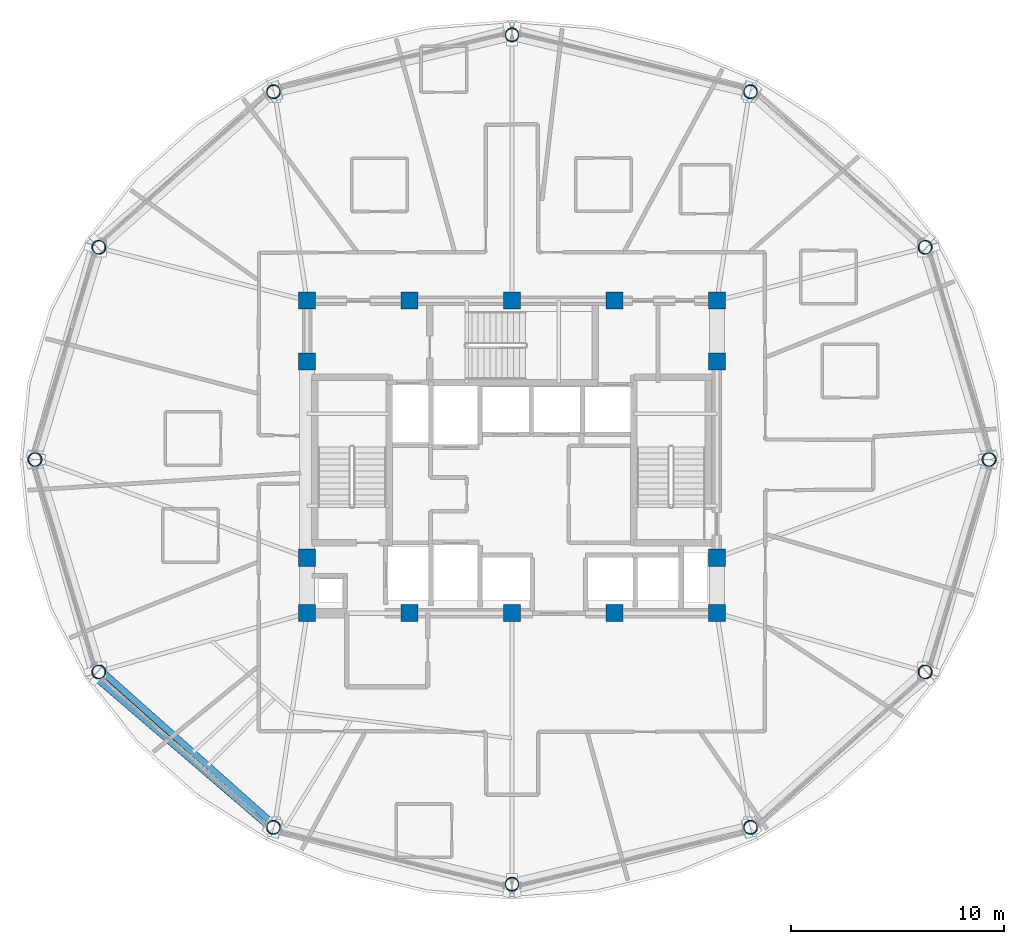
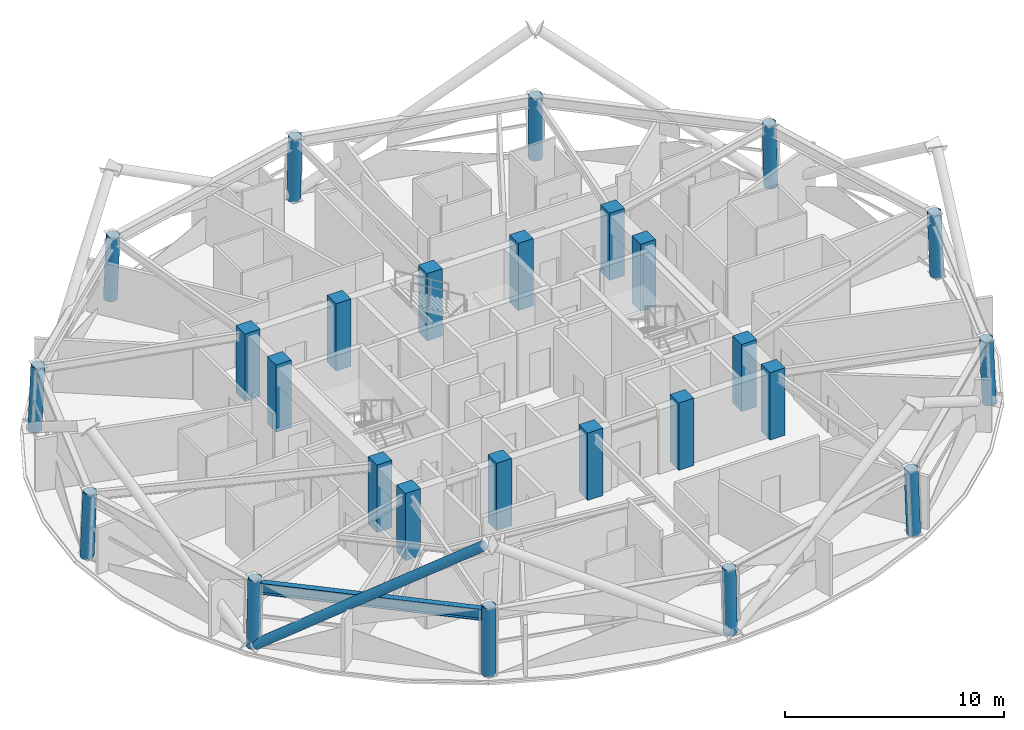
# One storey, part 1 of 14: 26 columns, 1 beam, 1 member.
"""IFC4 building model written with IfcOpenShell, lengths in metres."""

import ifcopenshell
import ifcopenshell.guid

model = None  # the IFC model being written
_history = None  # IfcOwnerHistory: only IFC2X3 demands one
_inside = {}  # id of a spatial element -> (the spatial element, [elements in it])
_under = {}  # id of a project, library or spatial element -> (it, [spatial elements below it])
_declared = {}  # id of a project -> (the project, [libraries it declares])
_typed = {}  # id of a type object -> (the type object, [elements of that type])
_made_of = {}  # id of a material, layer set ... -> (it, [elements and type objects made of it])


def new_model(schema):
    """Start an empty IFC model of exactly this schema.

    Asked for "IFC4X3", IfcOpenShell would pick the latest addendum, in which some entities
    have other attributes; the version numbers below select the first issue.
    IFC2X3 requires an IfcOwnerHistory on every rooted entity: one is made here for all.
    """
    global model, _history
    if schema == "IFC4X3":
        model = ifcopenshell.file(schema_version=(4, 3, 0, 0))
    else:
        model = ifcopenshell.file(schema=schema)
    _inside.clear()
    _under.clear()
    _declared.clear()
    _typed.clear()
    _made_of.clear()
    _history = None
    if model.schema == "IFC2X3":
        org = make("IfcOrganization", Name="unknown")
        user = make(
            "IfcPersonAndOrganization",
            ThePerson=make("IfcPerson", FamilyName="unknown"),
            TheOrganization=org,
        )
        app = make(
            "IfcApplication",
            ApplicationDeveloper=org,
            Version="unknown",
            ApplicationFullName="unknown",
            ApplicationIdentifier="unknown",
        )
        _history = make(
            "IfcOwnerHistory",
            OwningUser=user,
            OwningApplication=app,
            ChangeAction="ADDED",
            CreationDate=0,
        )
    return model


def make(cls, **values):
    """One entity of the class cls with the attributes given. An attribute that is None is left unset."""
    return model.create_entity(
        cls, **{name: value for name, value in values.items() if value is not None}
    )


def rooted(cls, **values):
    """An entity with a GlobalId (a new one), such as an element, a storey or a relation."""
    return make(cls, GlobalId=ifcopenshell.guid.new(), OwnerHistory=_history, **values)


def si_unit(unit_type, name, prefix=None):
    """IfcSIUnit, for example si_unit("LENGTHUNIT", "METRE", prefix="MILLI")."""
    return make("IfcSIUnit", UnitType=unit_type, Prefix=prefix, Name=name)


def assignment(units):
    """IfcUnitAssignment: the units of a project."""
    return None if units is None else make("IfcUnitAssignment", Units=units)


def point(xyz):
    """IfcCartesianPoint."""
    return None if xyz is None else make("IfcCartesianPoint", Coordinates=xyz)


def direction(xyz):
    """IfcDirection."""
    return None if xyz is None else make("IfcDirection", DirectionRatios=xyz)


def frame(location, z_axis=None, x_axis=None):
    """IfcAxis2Placement3D, a coordinate frame: its origin and axes. An axis left out is left unset."""
    return make(
        "IfcAxis2Placement3D",
        Location=point(location),
        Axis=direction(z_axis),
        RefDirection=direction(x_axis),
    )


def frame_2d(location, x_axis=None):
    """IfcAxis2Placement2D, a coordinate frame in the plane: its origin and x axis."""
    return make(
        "IfcAxis2Placement2D", Location=point(location), RefDirection=direction(x_axis)
    )


def origin():
    """The frame at (0, 0, 0) with its axes left unset."""
    return frame((0.0, 0.0, 0.0))


def origin_2d():
    """The frame at (0, 0) in the plane with its x axis left unset."""
    return frame_2d((0.0, 0.0))


def place(relative_to, where):
    """IfcLocalPlacement: puts the frame where relative to a parent placement (None: the world)."""
    return make(
        "IfcLocalPlacement", PlacementRelTo=relative_to, RelativePlacement=where
    )


def context(
    kind, dimensions, precision=None, world=None, true_north=None, identifier=None
):
    """IfcGeometricRepresentationContext, for example the 3D "Model" context."""
    return make(
        "IfcGeometricRepresentationContext",
        ContextIdentifier=identifier,
        ContextType=kind,
        CoordinateSpaceDimension=dimensions,
        Precision=precision,
        WorldCoordinateSystem=world,
        TrueNorth=true_north,
    )


def subcontext(parent, identifier, kind, view, scale=None):
    """IfcGeometricRepresentationSubContext, for example "Body" below "Model"."""
    return make(
        "IfcGeometricRepresentationSubContext",
        ContextIdentifier=identifier,
        ContextType=kind,
        ParentContext=parent,
        TargetScale=scale,
        TargetView=view,
    )


def project(units=None, contexts=None):
    """IfcProject with its units and contexts."""
    return rooted(
        "IfcProject",
        Name="project",
        RepresentationContexts=contexts,
        UnitsInContext=assignment(units),
    )


def spatial(cls, under=None, at=None, **own):
    """A site, building, storey or space (cls), placed at a placement, below another one or the project."""
    s = rooted(cls, ObjectPlacement=at, **own)
    if under is not None:
        _under.setdefault(under.id(), (under, []))[1].append(s)
    return s


def profile(cls, at=None, kind="AREA", **sizes):
    """A parametric profile (cls). Its sizes go by their IFC names, for example OverallWidth=200.0."""
    return make(cls, ProfileType=kind, Position=at, **sizes)


def rectangle(**sizes):
    """IfcRectangleProfileDef."""
    return profile("IfcRectangleProfileDef", **sizes)


def hollow_circle(**sizes):
    """IfcCircleHollowProfileDef."""
    return profile("IfcCircleHollowProfileDef", **sizes)


def i_section(**sizes):
    """IfcIShapeProfileDef."""
    return profile("IfcIShapeProfileDef", **sizes)


def extrude(swept, where, along, depth):
    """IfcExtrudedAreaSolid: the profile swept, set in the frame where, extruded along a direction by depth."""
    return make(
        "IfcExtrudedAreaSolid",
        SweptArea=swept,
        Position=where,
        ExtrudedDirection=direction(along),
        Depth=depth,
    )


def shape(context_of_items, identifier, shape_type, items):
    """IfcShapeRepresentation: the items that make up one representation, for example the "Body"."""
    return make(
        "IfcShapeRepresentation",
        ContextOfItems=context_of_items,
        RepresentationIdentifier=identifier,
        RepresentationType=shape_type,
        Items=items,
    )


def material(Name=None, Category=None):
    """IfcMaterial."""
    return make("IfcMaterial", Name=Name, Category=Category)


def material_profile(
    of_material, cross_section, Name=None, Category=None, Priority=None
):
    """IfcMaterialProfile: a cross section and its material."""
    return make(
        "IfcMaterialProfile",
        Name=Name,
        Material=of_material,
        Profile=cross_section,
        Priority=Priority,
        Category=Category,
    )


def profile_set(profiles, Name=None, composite=None):
    """IfcMaterialProfileSet."""
    return make(
        "IfcMaterialProfileSet",
        Name=Name,
        MaterialProfiles=profiles,
        CompositeProfile=composite,
    )


def made_of(thing, what):
    """Note that an element or type object is made of a material, layer set ...; save() writes the relation."""
    if what is not None:
        _made_of.setdefault(what.id(), (what, []))[1].append(thing)
    return thing


def type_object(cls, material=None, **own):
    """A type object (cls), such as IfcWallType, which elements share."""
    return made_of(rooted(cls, **own), material)


def element(
    cls,
    number,
    at=None,
    inside=None,
    cuts=None,
    type_object=None,
    material=None,
    context=None,
    identifier="Body",
    shape_type=None,
    held_by="IfcProductDefinitionShape",
    body=None,
    shapes=None,
    **own,
):
    """One element of the class cls, such as IfcWall. Its Tag is "e" and its number.

    at: its placement. inside: the storey or other place that contains it. cuts: it is an
    opening in that element (IfcRelVoidsElement). A single representation is given by context,
    identifier, shape_type and body (its items); several are given by shapes. held_by: the class
    of the entity that holds the representations. save() writes the other relations.
    """
    e = rooted(cls, Tag="e%d" % number, ObjectPlacement=at, **own)
    if body is not None:
        shapes = [shape(context, identifier, shape_type, body)]
    if shapes is not None:
        e.Representation = make(held_by, Representations=shapes)
    if inside is not None:
        _inside.setdefault(inside.id(), (inside, []))[1].append(e)
    if cuts is not None:
        rooted(
            "IfcRelVoidsElement", RelatingBuildingElement=cuts, RelatedOpeningElement=e
        )
    if type_object is not None:
        _typed.setdefault(type_object.id(), (type_object, []))[1].append(e)
    return made_of(e, material)


def aggregate(whole, parts):
    """IfcRelAggregates: a whole, such as a stair, and the parts it consists of."""
    return rooted("IfcRelAggregates", RelatingObject=whole, RelatedObjects=parts)


def save(model, path):
    """Write the relations noted so far, then the file.

    IfcRelAggregates (storeys below a building ...), IfcRelContainedInSpatialStructure (elements
    in a storey), IfcRelDefinesByType, IfcRelAssociatesMaterial and IfcRelDeclares: one each for
    every whole, place, type object, material and project.
    """
    for whole, parts in _under.values():
        aggregate(whole, parts)
    for where, things in _inside.values():
        rooted(
            "IfcRelContainedInSpatialStructure",
            RelatedElements=things,
            RelatingStructure=where,
        )
    for kind, things in _typed.values():
        rooted("IfcRelDefinesByType", RelatedObjects=things, RelatingType=kind)
    for what, things in _made_of.values():
        rooted("IfcRelAssociatesMaterial", RelatedObjects=things, RelatingMaterial=what)
    for by, libraries in _declared.values():
        rooted("IfcRelDeclares", RelatingContext=by, RelatedDefinitions=libraries)
    model.write(path)


model = new_model("IFC4")

# Units and contexts
model_context = context("Model", 3, precision=1e-05, world=origin(), true_north=direction((0.0, 1.0)))
body_context = subcontext(model_context, "Body", "Model", "MODEL_VIEW")
ifc_project = project(units=[si_unit("LENGTHUNIT", "METRE"), si_unit("AREAUNIT", "SQUARE_METRE"), si_unit("VOLUMEUNIT", "CUBIC_METRE"), si_unit("PLANEANGLEUNIT", "RADIAN"), si_unit("MASSUNIT", "GRAM", prefix="KILO")], contexts=[model_context])

# Site, building, storey
site_placement = place(None, origin())
site = spatial("IfcSite", under=ifc_project, at=site_placement, CompositionType="ELEMENT")
building_placement = place(site_placement, origin())
building = spatial("IfcBuilding", under=site, at=building_placement, Name="Vantalir Tower", CompositionType="ELEMENT")
storey_placement = place(building_placement, frame((0.0, 0.0, 204.89990234375)))
storey = spatial("IfcBuildingStorey", under=building, at=storey_placement, Name="L51", CompositionType="ELEMENT", Elevation=204.89990234375)

# Columns
ifc_material_1 = material(Name="Concrete C50/60", Category="concrete")
ifc_material_profile_1 = material_profile(ifc_material_1, rectangle(XDim=0.800048828125, YDim=0.800048828125, at=origin_2d()), Name="Concrete C50/60")
ifc_profile_set_1 = profile_set([ifc_material_profile_1], Name="Concrete C50/60")
column_type_1 = type_object("IfcColumnType", Name="COL-CC-800", PredefinedType="COLUMN", material=ifc_profile_set_1)
for number, where, z_axis, x_axis, name in (
    (1, (21.89990234375, 17.800048828125, 0.0), (0.0, 0.0, 1.0), (1.0, 0.0, 0.0), "L51 Core Column CC01"),
    (2, (26.699951171875, 17.800048828125, 0.0), (0.0, 0.0, 1.0), (1.0, 0.0, 0.0), "L51 Core Column CC02"),
    (3, (31.5, 17.800048828125, 0.0), (0.0, 0.0, 1.0), (1.0, 0.0, 0.0), "L51 Core Column CC03"),
    (4, (36.300048828125, 17.800048828125, 0.0), (0.0, 0.0, 1.0), (1.0, 0.0, 0.0), "L51 Core Column CC04"),
    (5, (41.10009765625, 17.800048828125, 0.0), (0.0, 0.0, 1.0), (1.0, 0.0, 0.0), "L51 Core Column CC05"),
    (6, (21.89990234375, 20.39990234375, 0.0), (0.0, 0.0, 1.0), (1.0, 0.0, 0.0), "L51 Core Column CC06"),
    (7, (21.89990234375, 29.60009765625, 0.0), (0.0, 0.0, 1.0), (1.0, 0.0, 0.0), "L51 Core Column CC07"),
    (8, (41.10009765625, 20.39990234375, 0.0), (0.0, 0.0, 1.0), (1.0, 0.0, 0.0), "L51 Core Column CC08"),
    (9, (41.10009765625, 29.60009765625, 0.0), (0.0, 0.0, 1.0), (1.0, 0.0, 0.0), "L51 Core Column CC09"),
    (10, (21.89990234375, 32.449951171875, 0.0), (0.0, 0.0, 1.0), (1.0, 0.0, 0.0), "L51 Core Column CC10"),
    (11, (26.699951171875, 32.449951171875, 0.0), (0.0, 0.0, 1.0), (1.0, 0.0, 0.0), "L51 Core Column CC11"),
    (12, (31.5, 32.449951171875, 0.0), (0.0, 0.0, 1.0), (1.0, 0.0, 0.0), "L51 Core Column CC12"),
    (13, (36.300048828125, 32.449951171875, 0.0), (0.0, 0.0, 1.0), (1.0, 0.0, 0.0), "L51 Core Column CC13"),
    (14, (41.10009765625, 32.449951171875, 0.0), (0.0, 0.0, 1.0), (1.0, 0.0, 0.0), "L51 Core Column CC14"),
):
    element("IfcColumn", number, at=place(storey_placement, frame(where, z_axis=z_axis, x_axis=x_axis)), inside=storey, type_object=column_type_1, Name=name, PredefinedType="COLUMN", context=body_context, shape_type="SweptSolid", body=[
        extrude(rectangle(XDim=0.800048828125, YDim=0.800048828125, at=origin_2d()), origin(), (0.0, 0.0, 1.0), 3.75),
    ])
ifc_material_2 = material(Name="Steel S460", Category="steel")
ifc_material_profile_2 = material_profile(ifc_material_2, hollow_circle(Radius=0.324951171875, WallThickness=0.030029296875, at=origin_2d()), Name="Steel S460")
ifc_profile_set_2 = profile_set([ifc_material_profile_2], Name="Steel S460")
column_type_2 = type_object("IfcColumnType", Name="COL-RC-650", PredefinedType="COLUMN", material=ifc_profile_set_2)
column_1_placement = place(storey_placement, frame((53.882080078125, 25.0, 0.0), z_axis=(-0.04147423383, 0.0, 0.999139573797), x_axis=(0.0, -1.0, 0.0)))
element("IfcColumn", 15, at=column_1_placement, inside=storey, type_object=column_type_2, Name="L51 Perimeter Ring Column RC01", PredefinedType="COLUMN", context=body_context, shape_type="SweptSolid", body=[
    extrude(hollow_circle(Radius=0.324951171875, WallThickness=0.030029296875, at=origin_2d()), origin(), (0.0, 0.0, 1.0), 3.5732421875),
])
column_2_placement = place(storey_placement, frame((50.883056640625, 34.9619140625, 0.0), z_axis=(-0.03587312272, -0.018449034542, 0.999186044834), x_axis=(0.457348012621, -0.889287802318, 0.0)))
element("IfcColumn", 16, at=column_2_placement, inside=storey, type_object=column_type_2, Name="L51 Perimeter Ring Column RC02", PredefinedType="COLUMN", context=body_context, shape_type="SweptSolid", body=[
    extrude(hollow_circle(Radius=0.324951171875, WallThickness=0.030029296875, at=origin_2d()), origin(), (0.0, 0.0, 1.0), 3.572998046875),
])
column_3_placement = place(storey_placement, frame((42.69091796875, 42.256103515625, 0.0), z_axis=(-0.020705602355, -0.032185936334, 0.999267403418), x_axis=(0.841004386889, -0.541028299846, 0.0)))
element("IfcColumn", 17, at=column_3_placement, inside=storey, type_object=column_type_2, Name="L51 Perimeter Ring Column RC03", PredefinedType="COLUMN", context=body_context, shape_type="SweptSolid", body=[
    extrude(hollow_circle(Radius=0.324951171875, WallThickness=0.030029296875, at=origin_2d()), origin(), (0.0, 0.0, 1.0), 3.57275390625),
])
column_4_placement = place(storey_placement, frame((31.5, 44.925048828125, 0.0), z_axis=(0.0, -0.036971218967, 0.999316330782), x_axis=(1.0, 0.0, 0.0)))
element("IfcColumn", 18, at=column_4_placement, inside=storey, type_object=column_type_2, Name="L51 Perimeter Ring Column RC04", PredefinedType="COLUMN", context=body_context, shape_type="SweptSolid", body=[
    extrude(hollow_circle(Radius=0.324951171875, WallThickness=0.030029296875, at=origin_2d()), origin(), (0.0, 0.0, 1.0), 3.572509765625),
])
column_5_placement = place(storey_placement, frame((20.30908203125, 42.256103515625, 0.0), z_axis=(0.020705602355, -0.032185936334, 0.999267403418), x_axis=(0.841004386889, 0.541028299846, 0.0)))
element("IfcColumn", 19, at=column_5_placement, inside=storey, type_object=column_type_2, Name="L51 Perimeter Ring Column RC05", PredefinedType="COLUMN", context=body_context, shape_type="SweptSolid", body=[
    extrude(hollow_circle(Radius=0.324951171875, WallThickness=0.030029296875, at=origin_2d()), origin(), (0.0, 0.0, 1.0), 3.57275390625),
])
column_6_placement = place(storey_placement, frame((12.116943359375, 34.9619140625, 0.0), z_axis=(0.03587312272, -0.018449034542, 0.999186044834), x_axis=(0.457348012621, 0.889287802318, 0.0)))
element("IfcColumn", 20, at=column_6_placement, inside=storey, type_object=column_type_2, Name="L51 Perimeter Ring Column RC06", PredefinedType="COLUMN", context=body_context, shape_type="SweptSolid", body=[
    extrude(hollow_circle(Radius=0.324951171875, WallThickness=0.030029296875, at=origin_2d()), origin(), (0.0, 0.0, 1.0), 3.572998046875),
])
column_7_placement = place(storey_placement, frame((9.117919921875, 25.0, 0.0), z_axis=(0.04147423383, 0.0, 0.999139573797), x_axis=(0.0, 1.0, 0.0)))
element("IfcColumn", 21, at=column_7_placement, inside=storey, type_object=column_type_2, Name="L51 Perimeter Ring Column RC07", PredefinedType="COLUMN", context=body_context, shape_type="SweptSolid", body=[
    extrude(hollow_circle(Radius=0.324951171875, WallThickness=0.030029296875, at=origin_2d()), origin(), (0.0, 0.0, 1.0), 3.5732421875),
])
column_8_placement = place(storey_placement, frame((12.116943359375, 15.037109375, 0.0), z_axis=(0.034391455173, 0.017687034089, 0.999251918505), x_axis=(-0.457348012621, 0.889287802318, 0.0)))
element("IfcColumn", 22, at=column_8_placement, inside=storey, type_object=column_type_2, Name="L51 Perimeter Ring Column RC08", PredefinedType="COLUMN", context=body_context, shape_type="SweptSolid", body=[
    extrude(hollow_circle(Radius=0.324951171875, WallThickness=0.030029296875, at=origin_2d()), origin(), (0.0, 0.0, 1.0), 3.726806640625),
])
column_9_placement = place(storey_placement, frame((20.30908203125, 7.743896484375, 0.0), z_axis=(0.01985026812, 0.030856357375, 0.999326699366), x_axis=(-0.841004386889, 0.541028299846, 0.0)))
element("IfcColumn", 23, at=column_9_placement, inside=storey, type_object=column_type_2, Name="L51 Perimeter Ring Column RC09", PredefinedType="COLUMN", context=body_context, shape_type="SweptSolid", body=[
    extrude(hollow_circle(Radius=0.324951171875, WallThickness=0.030029296875, at=origin_2d()), origin(), (0.0, 0.0, 1.0), 3.7265625),
])
column_10_placement = place(storey_placement, frame((31.5, 5.074951171875, 0.0), z_axis=(0.0, 0.036971218967, 0.999316330782), x_axis=(-1.0, 0.0, 0.0)))
element("IfcColumn", 24, at=column_10_placement, inside=storey, type_object=column_type_2, Name="L51 Perimeter Ring Column RC10", PredefinedType="COLUMN", context=body_context, shape_type="SweptSolid", body=[
    extrude(hollow_circle(Radius=0.324951171875, WallThickness=0.030029296875, at=origin_2d()), origin(), (0.0, 0.0, 1.0), 3.572509765625),
])
column_11_placement = place(storey_placement, frame((42.69091796875, 7.743896484375, 0.0), z_axis=(-0.020705602355, 0.032185936334, 0.999267403418), x_axis=(-0.841004386889, -0.541028299846, 0.0)))
element("IfcColumn", 25, at=column_11_placement, inside=storey, type_object=column_type_2, Name="L51 Perimeter Ring Column RC11", PredefinedType="COLUMN", context=body_context, shape_type="SweptSolid", body=[
    extrude(hollow_circle(Radius=0.324951171875, WallThickness=0.030029296875, at=origin_2d()), origin(), (0.0, 0.0, 1.0), 3.57275390625),
])
column_12_placement = place(storey_placement, frame((50.883056640625, 15.037109375, 0.0), z_axis=(-0.03587312272, 0.018449034542, 0.999186044834), x_axis=(-0.457348012621, -0.889287802318, 0.0)))
element("IfcColumn", 26, at=column_12_placement, inside=storey, type_object=column_type_2, Name="L51 Perimeter Ring Column RC12", PredefinedType="COLUMN", context=body_context, shape_type="SweptSolid", body=[
    extrude(hollow_circle(Radius=0.324951171875, WallThickness=0.030029296875, at=origin_2d()), origin(), (0.0, 0.0, 1.0), 3.572998046875),
])

# Beam
ifc_material_profile_3 = material_profile(ifc_material_2, i_section(OverallWidth=0.306884765625, OverallDepth=0.6201171875, WebThickness=0.01416015625, FlangeThickness=0.023681640625, at=origin_2d()), Name="Steel S460")
ifc_profile_set_3 = profile_set([ifc_material_profile_3], Name="Steel S460")
beam_type = type_object("IfcBeamType", Name="BM-RG-610x305", PredefinedType="USERDEFINED", material=ifc_profile_set_3)
beam_placement = place(storey_placement, frame((12.2451171875, 15.10302734375, 3.22021484375), z_axis=(0.746934381919, -0.664897758387, 0.0), x_axis=(0.664897758387, 0.746934381919, 0.0)))
element("IfcBeam", 27, at=beam_placement, inside=storey, type_object=beam_type, Name="L51 Circumferential Ring Girder 08", ObjectType="GIRDER", PredefinedType="USERDEFINED", context=body_context, shape_type="SweptSolid", body=[
    extrude(i_section(OverallWidth=0.306884765625, OverallDepth=0.6201171875, WebThickness=0.01416015625, FlangeThickness=0.023681640625, at=origin_2d()), origin(), (0.0, 0.0, 1.0), 10.89501953125),
])

# Member
ifc_material_profile_4 = material_profile(ifc_material_2, hollow_circle(Radius=0.25, WallThickness=0.031982421875, at=origin_2d()), Name="Steel S460")
ifc_profile_set_4 = profile_set([ifc_material_profile_4], Name="Steel S460")
member_type = type_object("IfcMemberType", Name="MEM-DB-500x32", PredefinedType="BRACE", material=ifc_profile_set_4)
member_placement = place(storey_placement, frame((12.092041015625, 14.822021484375, 0.2001953125), z_axis=(0.636396012755, -0.546653518755, 0.544215072726), x_axis=(0.651595797808, 0.758566355884, 0.0)))
element("IfcMember", 28, at=member_placement, inside=storey, type_object=member_type, Name="L51 Perimeter S460 Diagrid Brace R22L", PredefinedType="BRACE", context=body_context, shape_type="SweptSolid", body=[
    extrude(hollow_circle(Radius=0.25, WallThickness=0.031982421875, at=origin_2d()), origin(), (0.0, 0.0, 1.0), 12.71533203125),
])

save(model, "model.ifc")
